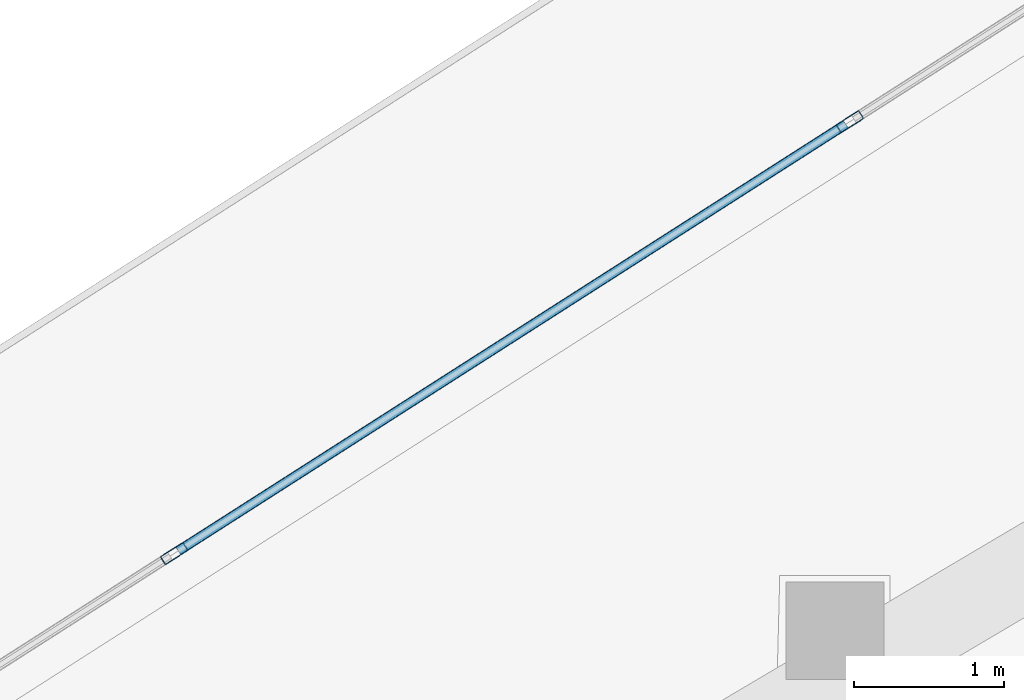
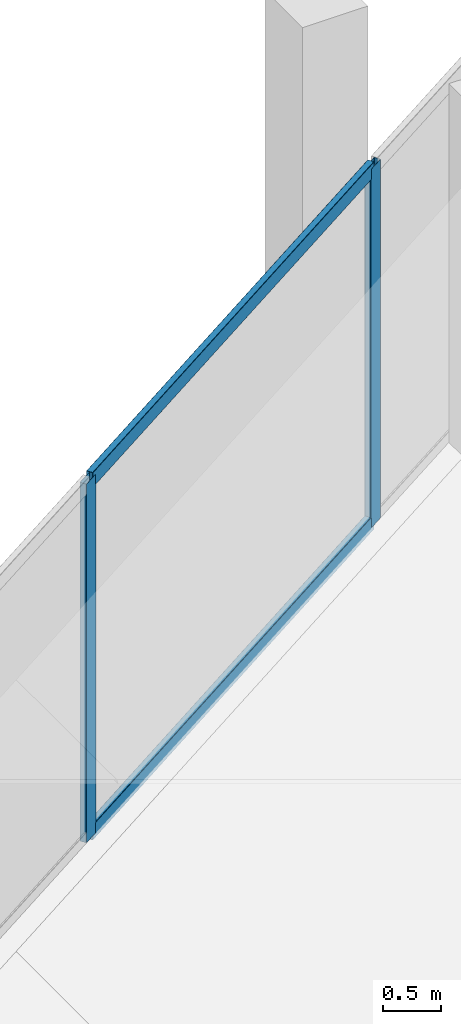
# One storey, part 16 of 39: 4 members, 1 element without a shape of its own.
"""IFC4 building model written with IfcOpenShell, lengths in metres."""

from ifc_helpers import new_model, si_unit, direction, frame, origin, origin_2d, place, context, subcontext, project, spatial, hollow_rectangle, extrude, material, layer, layer_set, material_profile, profile_set, type_object, element, aggregate, save


model = new_model("IFC4")

# Units and contexts
model_context = context("Model", 3, precision=1e-05, world=origin(), true_north=direction((0.0, 1.0)))
body_context = subcontext(model_context, "Body", "Model", "MODEL_VIEW")
ifc_project = project(units=[si_unit("LENGTHUNIT", "METRE"), si_unit("AREAUNIT", "SQUARE_METRE"), si_unit("VOLUMEUNIT", "CUBIC_METRE"), si_unit("PLANEANGLEUNIT", "RADIAN"), si_unit("MASSUNIT", "GRAM", prefix="KILO")], contexts=[model_context])

# Site, building, storey
site_placement = place(None, origin())
site = spatial("IfcSite", under=ifc_project, at=site_placement, CompositionType="ELEMENT")
building_placement = place(site_placement, origin())
building = spatial("IfcBuilding", under=site, at=building_placement, Name="Qorvath Tower", CompositionType="ELEMENT")
storey_placement = place(building_placement, frame((0.0, 0.0, 162.449951171875)))
storey = spatial("IfcBuildingStorey", under=building, at=storey_placement, Name="L37", CompositionType="ELEMENT", Elevation=162.449951171875)

# Curtain wall, members
ifc_material_1 = material(Name="Anodised aluminium and triple low-E glass", Category="aluminium")
ifc_layer = layer(ifc_material_1, 0.179931640625)
ifc_layer_set = layer_set([ifc_layer], Name="CW-SYS-3")
curtain_wall_type = type_object("IfcCurtainWallType", Name="CW-SYS-3", PredefinedType="NOTDEFINED", material=ifc_layer_set)
curtain_wall_placement = place(storey_placement, origin())
curtain_wall = element("IfcCurtainWall", 1, at=curtain_wall_placement, inside=storey, type_object=curtain_wall_type, Name="Curtain Wall CW-3 CW-T-L37-16.2", PredefinedType="NOTDEFINED")
ifc_material_2 = material(Name="Anodised aluminium 6063-T6", Category="aluminium")
ifc_material_profile_1 = material_profile(ifc_material_2, hollow_rectangle(XDim=0.06494140625, YDim=0.179931640625, WallThickness=0.00341796875, InnerFilletRadius=0.00341796875, OuterFilletRadius=0.007080078125, at=origin_2d()), Name="CWM 180x65")
ifc_profile_set_1 = profile_set([ifc_material_profile_1], Name="Anodised aluminium 6063-T6")
member_type_1 = type_object("IfcMemberType", Name="CWM-180", PredefinedType="MULLION", material=ifc_profile_set_1)
member_1_placement = place(storey_placement, frame((-35.8818359375, 16.76904296875, 0.0), z_axis=(0.0, 0.0, 1.0), x_axis=(0.53853949052, -0.842600271273, 0.0)))
member_1 = element("IfcMember", 2, at=member_1_placement, type_object=member_type_1, Name="CW-3 mullion 2", PredefinedType="MULLION", context=body_context, shape_type="SweptSolid", body=[
    extrude(hollow_rectangle(XDim=0.06494140625, YDim=0.179931640625, WallThickness=0.00341796875, InnerFilletRadius=0.00341796875, OuterFilletRadius=0.007080078125, at=origin_2d()), origin(), (0.0, 0.0, 1.0), 3.780029296875),
])
member_2_placement = place(storey_placement, frame((-40.377685546875, 13.895751953125, 0.0), z_axis=(0.0, 0.0, 1.0), x_axis=(0.53853949052, -0.842600271273, 0.0)))
member_2 = element("IfcMember", 3, at=member_2_placement, type_object=member_type_1, Name="CW-3 mullion 3", PredefinedType="MULLION", context=body_context, shape_type="SweptSolid", body=[
    extrude(hollow_rectangle(XDim=0.06494140625, YDim=0.179931640625, WallThickness=0.00341796875, InnerFilletRadius=0.00341796875, OuterFilletRadius=0.007080078125, at=origin_2d()), origin(), (0.0, 0.0, 1.0), 3.780029296875),
])
ifc_material_3 = material(Name="Anodised aluminium 6063-T6", Category="aluminium")
ifc_material_profile_2 = material_profile(ifc_material_3, hollow_rectangle(XDim=0.06494140625, YDim=0.159912109375, WallThickness=0.00341796875, InnerFilletRadius=0.00341796875, OuterFilletRadius=0.007080078125, at=origin_2d()), Name="CWT 160x65")
ifc_profile_set_2 = profile_set([ifc_material_profile_2], Name="Anodised aluminium 6063-T6")
member_type_2 = type_object("IfcMemberType", Name="CWT-160", PredefinedType="USERDEFINED", material=ifc_profile_set_2)
member_3_placement = place(storey_placement, frame((-35.9091796875, 16.751708984375, 0.032470703125), z_axis=(-0.842591753003, -0.538552817996, 0.0), x_axis=(0.538552817996, -0.842591753003, 0.0)))
member_3 = element("IfcMember", 4, at=member_3_placement, type_object=member_type_2, Name="CW-3 transom 2.1", ObjectType="TRANSOM", PredefinedType="USERDEFINED", context=body_context, shape_type="SweptSolid", body=[
    extrude(hollow_rectangle(XDim=0.06494140625, YDim=0.159912109375, WallThickness=0.00341796875, InnerFilletRadius=0.00341796875, OuterFilletRadius=0.007080078125, at=origin_2d()), origin(), (0.0, 0.0, 1.0), 5.270751953125),
])
member_4_placement = place(storey_placement, frame((-35.9091796875, 16.751708984375, 3.74755859375), z_axis=(-0.842591753003, -0.538552817996, 0.0), x_axis=(0.538552817996, -0.842591753003, 0.0)))
member_4 = element("IfcMember", 5, at=member_4_placement, type_object=member_type_2, Name="CW-3 transom 2.2", ObjectType="TRANSOM", PredefinedType="USERDEFINED", context=body_context, shape_type="SweptSolid", body=[
    extrude(hollow_rectangle(XDim=0.06494140625, YDim=0.159912109375, WallThickness=0.00341796875, InnerFilletRadius=0.00341796875, OuterFilletRadius=0.007080078125, at=origin_2d()), origin(), (0.0, 0.0, 1.0), 5.270751953125),
])
aggregate(curtain_wall, [member_1, member_2, member_3, member_4])

save(model, "model.ifc")
